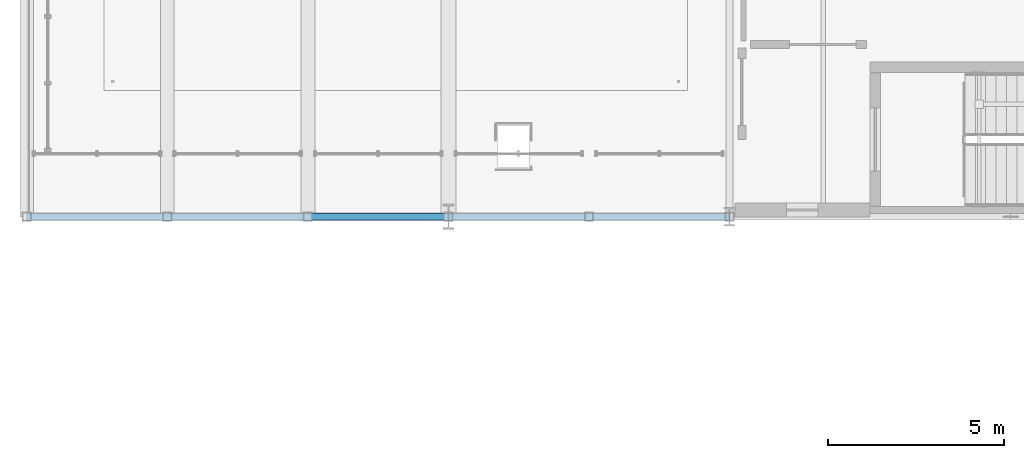
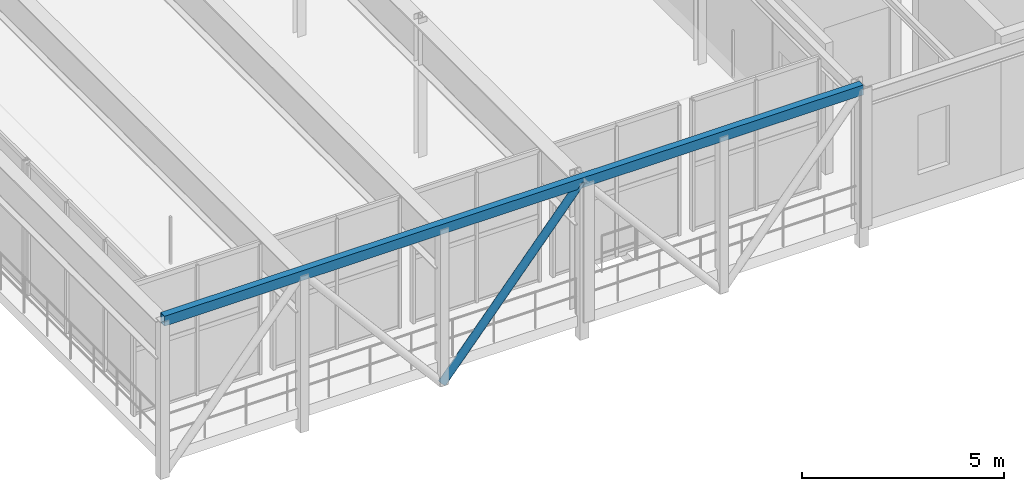
# One storey, part 20 of 124: 2 members.
"""IFC4 building model written with IfcOpenShell, lengths in metres."""

from ifc_helpers import new_model, si_unit, direction, frame, origin, origin_2d, place, context, subcontext, project, spatial, hollow_rectangle, hollow_circle, extrude, material, material_profile, profile_set, type_object, element, save


model = new_model("IFC4")

# Units and contexts
model_context = context("Model", 3, precision=1e-05, world=origin(), true_north=direction((0.0, 1.0)))
body_context = subcontext(model_context, "Body", "Model", "MODEL_VIEW")
ifc_project = project(units=[si_unit("LENGTHUNIT", "METRE"), si_unit("AREAUNIT", "SQUARE_METRE"), si_unit("VOLUMEUNIT", "CUBIC_METRE"), si_unit("PLANEANGLEUNIT", "RADIAN"), si_unit("MASSUNIT", "GRAM", prefix="KILO")], contexts=[model_context])

# Site, building, storey
site_placement = place(None, origin())
site = spatial("IfcSite", under=ifc_project, at=site_placement, CompositionType="ELEMENT")
building_placement = place(site_placement, origin())
building = spatial("IfcBuilding", under=site, at=building_placement, Name="Sundkrona Museum", CompositionType="ELEMENT")
storey_placement = place(building_placement, frame((0.0, 0.0, 17.60009765625)))
storey = spatial("IfcBuildingStorey", under=building, at=storey_placement, Name="L03", CompositionType="ELEMENT", Elevation=17.60009765625)

# Members
ifc_material_1 = material(Name="Steel S355J2", Category="steel")
ifc_material_profile_1 = material_profile(ifc_material_1, hollow_circle(Radius=0.109619140625, WallThickness=0.010009765625, at=origin_2d()), Name="CHS 219.1x10.0")
ifc_profile_set_1 = profile_set([ifc_material_profile_1], Name="Steel S355J2")
member_type_1 = type_object("IfcMemberType", Name="ST-CHS219", PredefinedType="STRUT", material=ifc_profile_set_1)
member_1_placement = place(storey_placement, frame((12.0, 32.0, -0.68017578125), z_axis=(0.645726672694, 0.0, 0.763568637499), x_axis=(0.0, 1.0, 0.0)))
element("IfcMember", 1, at=member_1_placement, inside=storey, type_object=member_type_1, Name="TRS-1 Cantilever Upper Pavilion S Diagonal 3", PredefinedType="STRUT", context=body_context, shape_type="SweptSolid", body=[
    extrude(hollow_circle(Radius=0.109619140625, WallThickness=0.010009765625, at=origin_2d()), origin(), (0.0, 0.0, 1.0), 6.194580078125),
])
ifc_material_2 = material(Name="Steel S460M", Category="steel")
ifc_material_profile_2 = material_profile(ifc_material_2, hollow_rectangle(XDim=0.199951171875, YDim=0.300048828125, WallThickness=0.012451171875, at=origin_2d()), Name="RHS 300x200x12.5")
ifc_profile_set_2 = profile_set([ifc_material_profile_2], Name="Steel S460M")
member_type_2 = type_object("IfcMemberType", Name="TC-RHS300", PredefinedType="CHORD", material=ifc_profile_set_2)
member_2_placement = place(storey_placement, frame((4.0, 32.0, 4.0498046875), z_axis=(1.0, 0.0, 0.0), x_axis=(0.0, 1.0, 0.0)))
element("IfcMember", 2, at=member_2_placement, inside=storey, type_object=member_type_2, Name="TRS-1 Cantilever Upper Pavilion S Roof Chord", PredefinedType="CHORD", context=body_context, shape_type="SweptSolid", body=[
    extrude(hollow_rectangle(XDim=0.199951171875, YDim=0.300048828125, WallThickness=0.012451171875, at=origin_2d()), origin(), (0.0, 0.0, 1.0), 20.0),
])

save(model, "model.ifc")
